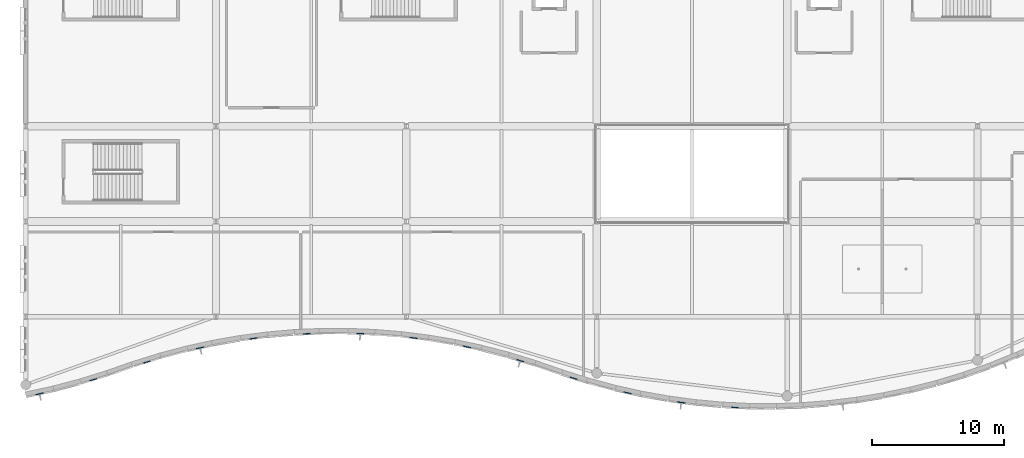
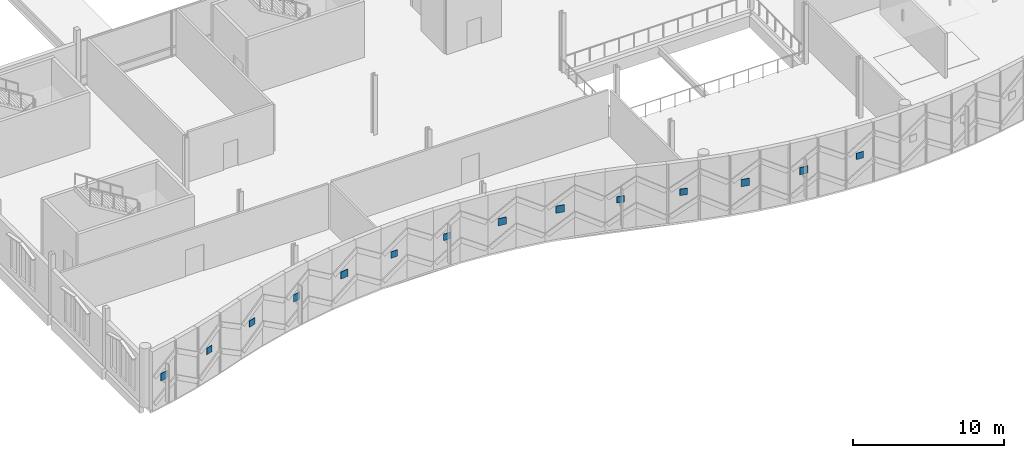
# One storey, part 122 of 193: 14 plates.
"""IFC4 building model written with IfcOpenShell, lengths in metres."""

from ifc_helpers import new_model, si_unit, direction, frame, origin, origin_2d, place, context, subcontext, project, spatial, rectangle, extrude, material, layer, layer_set, type_object, element, save


model = new_model("IFC4")

# Units and contexts
model_context = context("Model", 3, precision=1e-05, world=origin(), true_north=direction((0.0, 1.0)))
body_context = subcontext(model_context, "Body", "Model", "MODEL_VIEW")
ifc_project = project(units=[si_unit("LENGTHUNIT", "METRE"), si_unit("AREAUNIT", "SQUARE_METRE"), si_unit("VOLUMEUNIT", "CUBIC_METRE"), si_unit("PLANEANGLEUNIT", "RADIAN"), si_unit("MASSUNIT", "GRAM", prefix="KILO")], contexts=[model_context])

# Site, building, storey
site_placement = place(None, origin())
site = spatial("IfcSite", under=ifc_project, at=site_placement, CompositionType="ELEMENT")
building_placement = place(site_placement, origin())
building = spatial("IfcBuilding", under=site, at=building_placement, Name="Cendralis Lancet Convention Centre", CompositionType="ELEMENT")
storey_placement = place(building_placement, frame((0.0, 0.0, 10.199951171875)))
storey = spatial("IfcBuildingStorey", under=building, at=storey_placement, Name="L02", CompositionType="ELEMENT", Elevation=10.199951171875)

# Plates
ifc_material_1 = material(Name="Warm buff sandstone chevron cassette", Category="masonry")
ifc_layer_1 = layer(ifc_material_1, 0.044921875, Name="Warm buff sandstone chevron cassette")
ifc_layer_set_1 = layer_set([ifc_layer_1], Name="Warm buff sandstone chevron cassette")
plate_type_1 = type_object("IfcPlateType", Name="ARC-PL-CHV1", PredefinedType="SHEET", material=ifc_layer_set_1)
for number, where, z_axis, x_axis, name in (
    (1, (13.20361328125, 4.83984375, 2.130126953125), (0.0, 0.0, 1.0), (0.976717230975, 0.214530768695, 0.0), "Chevron Keystone Cassette CHV-S1 #0011"),
    (2, (29.3427734375, 5.5908203125, 2.130126953125), (0.0, 0.0, 1.0), (0.992405109755, -0.123012593387, 0.0), "Chevron Keystone Cassette CHV-S1 #0023"),
    (3, (45.527099609375, 1.43896484375, 2.130126953125), (0.0, 0.0, 1.0), (0.975878673897, -0.21831356768, 0.0), "Chevron Keystone Cassette CHV-S1 #0035"),
):
    element("IfcPlate", number, at=place(storey_placement, frame(where, z_axis=z_axis, x_axis=x_axis)), inside=storey, type_object=plate_type_1, Name=name, PredefinedType="SHEET", context=body_context, shape_type="SweptSolid", body=[
        extrude(rectangle(XDim=0.580078125, YDim=0.044921875, at=origin_2d()), origin(), (0.0, 0.0, 1.0), 0.580078125),
    ])
ifc_material_2 = material(Name="Dark Andean slate chevron cassette", Category="masonry")
ifc_layer_2 = layer(ifc_material_2, 0.048095703125, Name="Dark Andean slate chevron cassette")
ifc_layer_set_2 = layer_set([ifc_layer_2], Name="Dark Andean slate chevron cassette")
plate_type_2 = type_object("IfcPlateType", Name="ARC-PL-CHV2", PredefinedType="SHEET", material=ifc_layer_set_2)
for number, where, z_axis, x_axis, name in (
    (4, (1.051513671875, 1.36328125, 2.130126953125), (0.0, 0.0, 1.0), (0.977397448997, 0.211410091278, 0.0), "Chevron Keystone Cassette CHV-D1 #0002"),
    (5, (17.238525390625, 5.547607421875, 2.130126953125), (0.0, 0.0, 1.0), (0.991483545633, 0.130232018867, 0.0), "Chevron Keystone Cassette CHV-D1 #0014"),
    (6, (33.378173828125, 4.9140625, 2.130126953125), (0.0, 0.0, 1.0), (0.978191124203, -0.207706823505, 0.0), "Chevron Keystone Cassette CHV-D1 #0026"),
    (7, (49.59375, 0.710205078125, 2.130126953125), (0.0, 0.0, 1.0), (0.991034573663, -0.133605665318, 0.0), "Chevron Keystone Cassette CHV-D1 #0038"),
):
    element("IfcPlate", number, at=place(storey_placement, frame(where, z_axis=z_axis, x_axis=x_axis)), inside=storey, type_object=plate_type_2, Name=name, PredefinedType="SHEET", context=body_context, shape_type="SweptSolid", body=[
        extrude(rectangle(XDim=0.580078125, YDim=0.048095703125, at=origin_2d()), origin(), (0.0, 0.0, 1.0), 0.580078125),
    ])
ifc_layer_3 = layer(ifc_material_1, 0.044921875, Name="Warm buff sandstone chevron cassette")
ifc_layer_set_3 = layer_set([ifc_layer_3], Name="Warm buff sandstone chevron cassette")
plate_type_3 = type_object("IfcPlateType", Name="ARC-PL-CHV3", PredefinedType="SHEET", material=ifc_layer_set_3)
for number, where, z_axis, x_axis, name in (
    (8, (5.11767578125, 2.430908203125, 2.16015625), (0.0, 0.0, 1.0), (0.955299004111, 0.295641358313, 0.0), "Chevron Keystone Cassette CHV-S2 #0005"),
    (9, (21.2734375, 5.904296875, 2.16015625), (0.0, 0.0, 1.0), (0.998970569791, 0.045362988129, 0.0), "Chevron Keystone Cassette CHV-S2 #0017"),
    (10, (37.41259765625, 3.8720703125, 2.16015625), (0.0, 0.0, 1.0), (0.95645261608, -0.29188763796, 0.0), "Chevron Keystone Cassette CHV-S2 #0029"),
    (11, (53.6591796875, 0.334716796875, 2.16015625), (0.0, 0.0, 1.0), (0.998758784752, -0.049808532204, 0.0), "Chevron Keystone Cassette CHV-S2 #0041"),
):
    element("IfcPlate", number, at=place(storey_placement, frame(where, z_axis=z_axis, x_axis=x_axis)), inside=storey, type_object=plate_type_3, Name=name, PredefinedType="SHEET", context=body_context, shape_type="SweptSolid", body=[
        extrude(rectangle(XDim=0.52001953125, YDim=0.044921875, at=origin_2d()), origin(), (0.0, 0.0, 1.0), 0.52001953125),
    ])
ifc_layer_4 = layer(ifc_material_2, 0.048095703125, Name="Dark Andean slate chevron cassette")
ifc_layer_set_4 = layer_set([ifc_layer_4], Name="Dark Andean slate chevron cassette")
plate_type_4 = type_object("IfcPlateType", Name="ARC-PL-CHV4", PredefinedType="SHEET", material=ifc_layer_set_4)
for number, where, z_axis, x_axis, name in (
    (12, (9.168701171875, 3.7666015625, 2.16015625), (0.0, 0.0, 1.0), (0.95431858451, 0.298790962477, 0.0), "Chevron Keystone Cassette CHV-D2 #0008"),
    (13, (25.308349609375, 5.918701171875, 2.16015625), (0.0, 0.0, 1.0), (0.999239960688, -0.038980776845, 0.0), "Chevron Keystone Cassette CHV-D2 #0020"),
    (14, (41.46142578125, 2.5380859375, 2.16015625), (0.0, 0.0, 1.0), (0.953106193026, -0.302636060006, 0.0), "Chevron Keystone Cassette CHV-D2 #0032"),
):
    element("IfcPlate", number, at=place(storey_placement, frame(where, z_axis=z_axis, x_axis=x_axis)), inside=storey, type_object=plate_type_4, Name=name, PredefinedType="SHEET", context=body_context, shape_type="SweptSolid", body=[
        extrude(rectangle(XDim=0.52001953125, YDim=0.048095703125, at=origin_2d()), origin(), (0.0, 0.0, 1.0), 0.52001953125),
    ])

save(model, "model.ifc")
